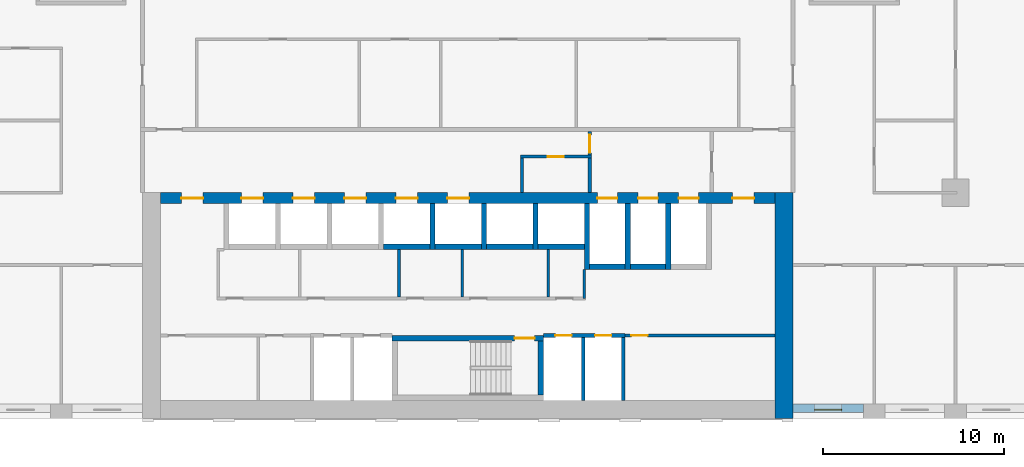
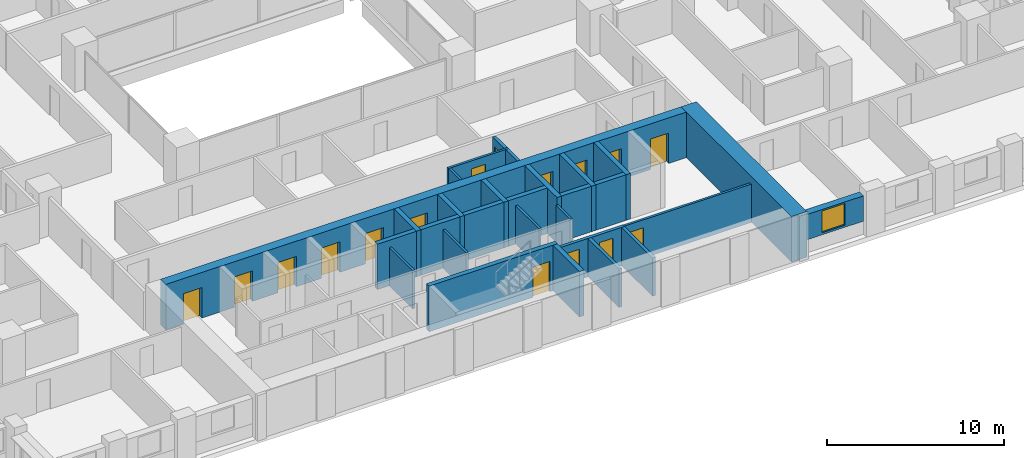
# One storey, part 11 of 20: 29 walls, 16 doors, 1 window, 17 openings.
"""IFC4 building model written with IfcOpenShell, lengths in metres."""

from ifc_helpers import new_model, si_unit, direction, frame, frame_2d, origin, place, context, subcontext, project, spatial, rectangle, extrude, material, layer, layer_set, type_object, element, fill, save


model = new_model("IFC4")

# Units and contexts
model_context = context("Model", 3, precision=1e-05, world=origin(), true_north=direction((0.0, 1.0)))
body_context = subcontext(model_context, "Body", "Model", "MODEL_VIEW")
ifc_project = project(units=[si_unit("LENGTHUNIT", "METRE"), si_unit("AREAUNIT", "SQUARE_METRE"), si_unit("VOLUMEUNIT", "CUBIC_METRE"), si_unit("PLANEANGLEUNIT", "RADIAN"), si_unit("MASSUNIT", "GRAM", prefix="KILO")], contexts=[model_context])

# Site, building, storey
site_placement = place(None, origin())
site = spatial("IfcSite", under=ifc_project, at=site_placement, CompositionType="ELEMENT")
building_placement = place(site_placement, origin())
building = spatial("IfcBuilding", under=site, at=building_placement, Name="Brigalow Station Residences", CompositionType="ELEMENT")
storey_placement = place(building_placement, frame((0.0, 0.0, 69.89990234375)))
storey = spatial("IfcBuildingStorey", under=building, at=storey_placement, Name="L20", CompositionType="ELEMENT", Elevation=69.89990234375)

# Wall, opening, window
ifc_material_1 = material(Name="Clay brick masonry", Category="masonry")
ifc_layer_1 = layer(ifc_material_1, 0.449951171875)
ifc_layer_set_1 = layer_set([ifc_layer_1], Name="BRICK INFILL WALL 450")
wall_type_1 = type_object("IfcWallType", Name="BRICK INFILL WALL 450", PredefinedType="SOLIDWALL", material=ifc_layer_set_1)
wall_1_placement = place(storey_placement, frame((54.0, 0.574951171875, 0.900146484375), z_axis=(0.0, 0.0, 1.0), x_axis=(1.0, 0.0, 0.0)))
wall_1 = element("IfcWall", 1, at=wall_1_placement, inside=storey, type_object=wall_type_1, Name="L20/ewall/W-L20-5", PredefinedType="SOLIDWALL", context=body_context, shape_type="SweptSolid", body=[
    extrude(rectangle(XDim=3.89990234375, YDim=0.449951171875, at=frame_2d((1.949951171875, 0.0))), origin(), (0.0, 0.0, 1.0), 1.75),
])
opening_1_placement = place(wall_1_placement, frame((1.199951171875, 0.0, 0.14990234375)))
opening_1 = element("IfcOpeningElement", 2, at=opening_1_placement, cuts=wall_1, Name="Opening WT-1", PredefinedType="OPENING", context=body_context, shape_type="SweptSolid", body=[
    extrude(rectangle(XDim=1.5, YDim=1.5, at=frame_2d((0.75, 0.75))), frame((0.0, 0.23486328125, 0.0), z_axis=(0.0, -1.0, 0.0), x_axis=(1.0, 0.0, 0.0)), (0.0, 0.0, 1.0), 0.469970703125),
])
ifc_material_2 = material(Name="Anodised aluminium frame with double glazing", Category="aluminium")
window_type = type_object("IfcWindowType", Name="WINDOW 1500x1500", PartitioningType="SINGLE_PANEL", PredefinedType="WINDOW", material=ifc_material_2)
window_placement = place(opening_1_placement, origin())
window = element("IfcWindow", 3, at=window_placement, inside=storey, type_object=window_type, Name="L20/window/W-L20-5", OverallHeight=1.5, OverallWidth=1.5, PartitioningType="SINGLE_PANEL", PredefinedType="WINDOW", context=body_context, shape_type="SweptSolid", body=[
    extrude(rectangle(XDim=1.5, YDim=1.5, at=frame_2d((0.75, 0.75))), frame((0.0, -0.06494140625, 0.0), z_axis=(0.0, -1.0, 0.0), x_axis=(1.0, 0.0, 0.0)), (0.0, 0.0, 1.0), 0.06005859375),
])
fill(opening_1, window)

# Walls
ifc_material_3 = material(Name="Concrete C80", Category="concrete")
ifc_layer_2 = layer(ifc_material_3, 1.0)
ifc_layer_set_2 = layer_set([ifc_layer_2], Name="CORE SHEAR WALL 1000 C80")
wall_type_2 = type_object("IfcWallType", Name="CORE SHEAR WALL 1000 C80", PredefinedType="SHEAR", material=ifc_layer_set_2)
wall_2_placement = place(storey_placement, frame((53.5, 0.0, 0.0), z_axis=(0.0, 0.0, 1.0), x_axis=(0.0, 1.0, 0.0)))
element("IfcWall", 4, at=wall_2_placement, inside=storey, type_object=wall_type_2, Name="CORE WALL OUT-E L20", PredefinedType="SHEAR", context=body_context, shape_type="SweptSolid", body=[
    extrude(rectangle(XDim=12.5, YDim=1.0, at=frame_2d((6.25, 0.0))), origin(), (0.0, 0.0, 1.0), 3.150146484375),
])
ifc_material_4 = material(Name="Concrete C80", Category="concrete")
ifc_layer_3 = layer(ifc_material_4, 0.300048828125)
ifc_layer_set_3 = layer_set([ifc_layer_3], Name="CORE SHEAR WALL 300 C80")
wall_type_3 = type_object("IfcWallType", Name="CORE SHEAR WALL 300 C80", PredefinedType="SHEAR", material=ifc_layer_set_3)
wall_3_placement = place(storey_placement, frame((31.35009765625, 9.5, 0.0), z_axis=(0.0, 0.0, 1.0), x_axis=(1.0, 0.0, 0.0)))
element("IfcWall", 5, at=wall_3_placement, inside=storey, type_object=wall_type_3, Name="CORE WALL SH-P4-S L20", PredefinedType="SHEAR", context=body_context, shape_type="SweptSolid", body=[
    extrude(rectangle(XDim=2.5498046875, YDim=0.300048828125, at=frame_2d((1.27490234375, 0.0))), origin(), (0.0, 0.0, 1.0), 3.150146484375),
])
wall_4_placement = place(storey_placement, frame((34.199951171875, 9.5, 0.0), z_axis=(0.0, 0.0, 1.0), x_axis=(1.0, 0.0, 0.0)))
element("IfcWall", 6, at=wall_4_placement, inside=storey, type_object=wall_type_3, Name="CORE WALL SH-P5-S L20", PredefinedType="SHEAR", context=body_context, shape_type="SweptSolid", body=[
    extrude(rectangle(XDim=2.550048828125, YDim=0.300048828125, at=frame_2d((1.27490234375, 0.0))), origin(), (0.0, 0.0, 1.0), 3.150146484375),
])
wall_5_placement = place(storey_placement, frame((34.050048828125, 9.35009765625, 0.0), z_axis=(0.0, 0.0, 1.0), x_axis=(0.0, 1.0, 0.0)))
element("IfcWall", 7, at=wall_5_placement, inside=storey, type_object=wall_type_3, Name="CORE WALL SH-P5-W L20", PredefinedType="SHEAR", context=body_context, shape_type="SweptSolid", body=[
    extrude(rectangle(XDim=2.5498046875, YDim=0.300048828125, at=frame_2d((1.27490234375, 0.0))), origin(), (0.0, 0.0, 1.0), 3.150146484375),
])
wall_6_placement = place(storey_placement, frame((37.050048828125, 9.5, 0.0), z_axis=(0.0, 0.0, 1.0), x_axis=(1.0, 0.0, 0.0)))
element("IfcWall", 8, at=wall_6_placement, inside=storey, type_object=wall_type_3, Name="CORE WALL SH-X1-S L20", PredefinedType="SHEAR", context=body_context, shape_type="SweptSolid", body=[
    extrude(rectangle(XDim=2.550048828125, YDim=0.300048828125, at=frame_2d((1.27490234375, 0.0))), origin(), (0.0, 0.0, 1.0), 3.150146484375),
])
wall_7_placement = place(storey_placement, frame((36.89990234375, 9.35009765625, 0.0), z_axis=(0.0, 0.0, 1.0), x_axis=(0.0, 1.0, 0.0)))
element("IfcWall", 9, at=wall_7_placement, inside=storey, type_object=wall_type_3, Name="CORE WALL SH-X1-W L20", PredefinedType="SHEAR", context=body_context, shape_type="SweptSolid", body=[
    extrude(rectangle(XDim=2.5498046875, YDim=0.300048828125, at=frame_2d((1.27490234375, 0.0))), origin(), (0.0, 0.0, 1.0), 3.150146484375),
])
wall_8_placement = place(storey_placement, frame((39.89990234375, 9.5, 0.0), z_axis=(0.0, 0.0, 1.0), x_axis=(1.0, 0.0, 0.0)))
element("IfcWall", 10, at=wall_8_placement, inside=storey, type_object=wall_type_3, Name="CORE WALL SH-X2-S L20", PredefinedType="SHEAR", context=body_context, shape_type="SweptSolid", body=[
    extrude(rectangle(XDim=2.550048828125, YDim=0.300048828125, at=frame_2d((1.27490234375, 0.0))), origin(), (0.0, 0.0, 1.0), 3.150146484375),
])
wall_9_placement = place(storey_placement, frame((39.75, 9.35009765625, 0.0), z_axis=(0.0, 0.0, 1.0), x_axis=(0.0, 1.0, 0.0)))
element("IfcWall", 11, at=wall_9_placement, inside=storey, type_object=wall_type_3, Name="CORE WALL SH-X2-W L20", PredefinedType="SHEAR", context=body_context, shape_type="SweptSolid", body=[
    extrude(rectangle(XDim=2.5498046875, YDim=0.300048828125, at=frame_2d((1.27490234375, 0.0))), origin(), (0.0, 0.0, 1.0), 3.150146484375),
])
wall_10_placement = place(storey_placement, frame((42.75, 8.39990234375, 0.0), z_axis=(0.0, 0.0, 1.0), x_axis=(1.0, 0.0, 0.0)))
element("IfcWall", 12, at=wall_10_placement, inside=storey, type_object=wall_type_3, Name="CORE WALL SH-FF1-S L20", PredefinedType="SHEAR", context=body_context, shape_type="SweptSolid", body=[
    extrude(rectangle(XDim=1.949951171875, YDim=0.300048828125, at=frame_2d((0.97509765625, 0.0))), origin(), (0.0, 0.0, 1.0), 3.150146484375),
])
wall_11_placement = place(storey_placement, frame((42.60009765625, 8.25, 0.0), z_axis=(0.0, 0.0, 1.0), x_axis=(0.0, 1.0, 0.0)))
element("IfcWall", 13, at=wall_11_placement, inside=storey, type_object=wall_type_3, Name="CORE WALL SH-FF1-W L20", PredefinedType="SHEAR", context=body_context, shape_type="SweptSolid", body=[
    extrude(rectangle(XDim=3.64990234375, YDim=0.300048828125, at=frame_2d((1.824951171875, 0.0))), origin(), (0.0, 0.0, 1.0), 3.150146484375),
])
wall_12_placement = place(storey_placement, frame((45.0, 8.39990234375, 0.0), z_axis=(0.0, 0.0, 1.0), x_axis=(1.0, 0.0, 0.0)))
element("IfcWall", 14, at=wall_12_placement, inside=storey, type_object=wall_type_3, Name="CORE WALL SH-FF2-S L20", PredefinedType="SHEAR", context=body_context, shape_type="SweptSolid", body=[
    extrude(rectangle(XDim=1.949951171875, YDim=0.300048828125, at=frame_2d((0.97509765625, 0.0))), origin(), (0.0, 0.0, 1.0), 3.150146484375),
])
for number, where, z_axis, x_axis, name in (
    (15, (44.85009765625, 8.25, 0.0), (0.0, 0.0, 1.0), (0.0, 1.0, 0.0), "CORE WALL SH-FF2-W L20"),
    (16, (47.10009765625, 8.25, 0.0), (0.0, 0.0, 1.0), (0.0, 1.0, 0.0), "CORE WALL SH-SL1-W L20"),
):
    element("IfcWall", number, at=place(storey_placement, frame(where, z_axis=z_axis, x_axis=x_axis)), inside=storey, type_object=wall_type_3, Name=name, PredefinedType="SHEAR", context=body_context, shape_type="SweptSolid", body=[
        extrude(rectangle(XDim=3.64990234375, YDim=0.300048828125, at=frame_2d((1.824951171875, 0.0))), origin(), (0.0, 0.0, 1.0), 3.150146484375),
    ])

# Wall, opening, door
wall_13_placement = place(storey_placement, frame((31.800048828125, 4.449951171875, 0.0), z_axis=(0.0, 0.0, 1.0), x_axis=(1.0, 0.0, 0.0)))
wall_13 = element("IfcWall", 17, at=wall_13_placement, inside=storey, type_object=wall_type_3, Name="CORE WALL ST-S2-N L20", PredefinedType="SHEAR", context=body_context, shape_type="SweptSolid", body=[
    extrude(rectangle(XDim=8.39990234375, YDim=0.300048828125, at=frame_2d((4.199951171875, 0.0))), origin(), (0.0, 0.0, 1.0), 3.150146484375),
])
opening_2_placement = place(wall_13_placement, frame((6.800048828125, 0.0, 0.0)))
opening_2 = element("IfcOpeningElement", 18, at=opening_2_placement, cuts=wall_13, Name="Opening D-5001", PredefinedType="OPENING", context=body_context, shape_type="SweptSolid", body=[
    extrude(rectangle(XDim=1.10009765625, YDim=2.10009765625, at=frame_2d((0.550048828125, 1.050048828125))), frame((0.0, 0.16015625, 0.0), z_axis=(0.0, -1.0, 0.0), x_axis=(1.0, 0.0, 0.0)), (0.0, 0.0, 1.0), 0.320068359375),
])
ifc_material_5 = material(Name="Steel fire door leaf in steel frame", Category="steel")
door_type_1 = type_object("IfcDoorType", Name="STAIR DOOR 1100 x 2100 FD60S", OperationType="SINGLE_SWING_LEFT", PredefinedType="DOOR", material=ifc_material_5)
door_1_placement = place(opening_2_placement, frame((1.10009765625, 0.0, 0.0), z_axis=(0.0, 0.0, 1.0), x_axis=(-1.0, 0.0, 0.0)))
door_1 = element("IfcDoor", 19, at=door_1_placement, inside=storey, type_object=door_type_1, Name="D-5001", OperationType="SINGLE_SWING_LEFT", OverallHeight=2.10009765625, OverallWidth=1.10009765625, PredefinedType="DOOR", context=body_context, shape_type="SweptSolid", body=[
    extrude(rectangle(XDim=1.10009765625, YDim=2.10009765625, at=frame_2d((0.550048828125, 1.050048828125))), frame((0.0, 0.02490234375, 0.0), z_axis=(0.0, -1.0, 0.0), x_axis=(1.0, 0.0, 0.0)), (0.0, 0.0, 1.0), 0.050048828125),
])
fill(opening_2, door_1)

# Wall
wall_14_placement = place(storey_placement, frame((40.050048828125, 1.300048828125, 0.0), z_axis=(0.0, 0.0, 1.0), x_axis=(0.0, 1.0, 0.0)))
element("IfcWall", 20, at=wall_14_placement, inside=storey, type_object=wall_type_3, Name="CORE WALL ST-S2-E L20", PredefinedType="SHEAR", context=body_context, shape_type="SweptSolid", body=[
    extrude(rectangle(XDim=3.0, YDim=0.300048828125, at=frame_2d((1.5, 0.0))), origin(), (0.0, 0.0, 1.0), 3.150146484375),
])

# Wall, openings, doors
ifc_material_6 = material(Name="Concrete C80", Category="concrete")
ifc_layer_4 = layer(ifc_material_6, 0.60009765625)
ifc_layer_set_4 = layer_set([ifc_layer_4], Name="CORE SHEAR WALL 600 C80")
wall_type_4 = type_object("IfcWallType", Name="CORE SHEAR WALL 600 C80", PredefinedType="SHEAR", material=ifc_layer_set_4)
wall_15_placement = place(storey_placement, frame((19.0, 12.199951171875, 0.0), z_axis=(0.0, 0.0, 1.0), x_axis=(1.0, 0.0, 0.0)))
wall_15 = element("IfcWall", 21, at=wall_15_placement, inside=storey, type_object=wall_type_4, Name="CORE WALL OUT-N L20", PredefinedType="SHEAR", context=body_context, shape_type="SweptSolid", body=[
    extrude(rectangle(XDim=34.0, YDim=0.60009765625, at=frame_2d((17.0, 0.0))), origin(), (0.0, 0.0, 1.0), 3.150146484375),
])
opening_3_placement = place(wall_15_placement, frame((4.47509765625, 0.0, 0.0)))
opening_3 = element("IfcOpeningElement", 22, at=opening_3_placement, cuts=wall_15, Name="Opening LD-LA1", PredefinedType="OPENING", context=body_context, shape_type="SweptSolid", body=[
    extrude(rectangle(XDim=1.199951171875, YDim=2.10009765625, at=frame_2d((0.60009765625, 1.050048828125))), frame((0.0, 0.31005859375, 0.0), z_axis=(0.0, -1.0, 0.0), x_axis=(1.0, 0.0, 0.0)), (0.0, 0.0, 1.0), 0.6201171875),
])
opening_4_placement = place(wall_15_placement, frame((7.324951171875, 0.0, 0.0)))
opening_4 = element("IfcOpeningElement", 23, at=opening_4_placement, cuts=wall_15, Name="Opening LD-LA2", PredefinedType="OPENING", context=body_context, shape_type="SweptSolid", body=[
    extrude(rectangle(XDim=1.199951171875, YDim=2.10009765625, at=frame_2d((0.60009765625, 1.050048828125))), frame((0.0, 0.31005859375, 0.0), z_axis=(0.0, -1.0, 0.0), x_axis=(1.0, 0.0, 0.0)), (0.0, 0.0, 1.0), 0.6201171875),
])
opening_5_placement = place(wall_15_placement, frame((10.175048828125, 0.0, 0.0)))
opening_5 = element("IfcOpeningElement", 24, at=opening_5_placement, cuts=wall_15, Name="Opening LD-LA3", PredefinedType="OPENING", context=body_context, shape_type="SweptSolid", body=[
    extrude(rectangle(XDim=1.199951171875, YDim=2.10009765625, at=frame_2d((0.60009765625, 1.050048828125))), frame((0.0, 0.31005859375, 0.0), z_axis=(0.0, -1.0, 0.0), x_axis=(1.0, 0.0, 0.0)), (0.0, 0.0, 1.0), 0.6201171875),
])
opening_6_placement = place(wall_15_placement, frame((13.02490234375, 0.0, 0.0)))
opening_6 = element("IfcOpeningElement", 25, at=opening_6_placement, cuts=wall_15, Name="Opening LD-LA4", PredefinedType="OPENING", context=body_context, shape_type="SweptSolid", body=[
    extrude(rectangle(XDim=1.199951171875, YDim=2.10009765625, at=frame_2d((0.60009765625, 1.050048828125))), frame((0.0, 0.31005859375, 0.0), z_axis=(0.0, -1.0, 0.0), x_axis=(1.0, 0.0, 0.0)), (0.0, 0.0, 1.0), 0.6201171875),
])
opening_7_placement = place(wall_15_placement, frame((15.875, 0.0, 0.0)))
opening_7 = element("IfcOpeningElement", 26, at=opening_7_placement, cuts=wall_15, Name="Opening LD-LA5", PredefinedType="OPENING", context=body_context, shape_type="SweptSolid", body=[
    extrude(rectangle(XDim=1.199951171875, YDim=2.10009765625, at=frame_2d((0.60009765625, 1.050048828125))), frame((0.0, 0.31005859375, 0.0), z_axis=(0.0, -1.0, 0.0), x_axis=(1.0, 0.0, 0.0)), (0.0, 0.0, 1.0), 0.6201171875),
])
opening_8_placement = place(wall_15_placement, frame((24.175048828125, 0.0, 0.0)))
opening_8 = element("IfcOpeningElement", 27, at=opening_8_placement, cuts=wall_15, Name="Opening LD-LF1", PredefinedType="OPENING", context=body_context, shape_type="SweptSolid", body=[
    extrude(rectangle(XDim=1.10009765625, YDim=2.10009765625, at=frame_2d((0.550048828125, 1.050048828125))), frame((0.0, 0.31005859375, 0.0), z_axis=(0.0, -1.0, 0.0), x_axis=(1.0, 0.0, 0.0)), (0.0, 0.0, 1.0), 0.6201171875),
])
opening_9_placement = place(wall_15_placement, frame((26.425048828125, 0.0, 0.0)))
opening_9 = element("IfcOpeningElement", 28, at=opening_9_placement, cuts=wall_15, Name="Opening LD-LF2", PredefinedType="OPENING", context=body_context, shape_type="SweptSolid", body=[
    extrude(rectangle(XDim=1.10009765625, YDim=2.10009765625, at=frame_2d((0.550048828125, 1.050048828125))), frame((0.0, 0.31005859375, 0.0), z_axis=(0.0, -1.0, 0.0), x_axis=(1.0, 0.0, 0.0)), (0.0, 0.0, 1.0), 0.6201171875),
])
opening_10_placement = place(wall_15_placement, frame((28.675048828125, 0.0, 0.0)))
opening_10 = element("IfcOpeningElement", 29, at=opening_10_placement, cuts=wall_15, Name="Opening LD-LG1", PredefinedType="OPENING", context=body_context, shape_type="SweptSolid", body=[
    extrude(rectangle(XDim=1.10009765625, YDim=2.10009765625, at=frame_2d((0.550048828125, 1.050048828125))), frame((0.0, 0.31005859375, 0.0), z_axis=(0.0, -1.0, 0.0), x_axis=(1.0, 0.0, 0.0)), (0.0, 0.0, 1.0), 0.6201171875),
])
opening_11_placement = place(wall_15_placement, frame((1.14990234375, 0.0, 0.0)))
opening_11 = element("IfcOpeningElement", 30, at=opening_11_placement, cuts=wall_15, Name="Opening D-5011", PredefinedType="OPENING", context=body_context, shape_type="SweptSolid", body=[
    extrude(rectangle(XDim=1.199951171875, YDim=2.10009765625, at=frame_2d((0.60009765625, 1.050048828125))), frame((0.0, 0.31005859375, 0.0), z_axis=(0.0, -1.0, 0.0), x_axis=(1.0, 0.0, 0.0)), (0.0, 0.0, 1.0), 0.6201171875),
])
opening_12_placement = place(wall_15_placement, frame((31.64990234375, 0.0, 0.0)))
opening_12 = element("IfcOpeningElement", 31, at=opening_12_placement, cuts=wall_15, Name="Opening D-5012", PredefinedType="OPENING", context=body_context, shape_type="SweptSolid", body=[
    extrude(rectangle(XDim=1.199951171875, YDim=2.10009765625, at=frame_2d((0.60009765625, 1.050048828125))), frame((0.0, 0.31005859375, 0.0), z_axis=(0.0, -1.0, 0.0), x_axis=(1.0, 0.0, 0.0)), (0.0, 0.0, 1.0), 0.6201171875),
])
ifc_material_7 = material(Name="Steel fire door leaf in steel frame", Category="steel")
door_type_2 = type_object("IfcDoorType", Name="CORE CORRIDOR DOOR 1200 x 2100 FD60S", OperationType="SINGLE_SWING_LEFT", PredefinedType="DOOR", material=ifc_material_7)
door_2_placement = place(opening_11_placement, frame((1.199951171875, 0.0, 0.0), z_axis=(0.0, 0.0, 1.0), x_axis=(-1.0, 0.0, 0.0)))
door_2 = element("IfcDoor", 32, at=door_2_placement, inside=storey, type_object=door_type_2, Name="D-5011", OperationType="SINGLE_SWING_LEFT", OverallHeight=2.10009765625, OverallWidth=1.199951171875, PredefinedType="DOOR", context=body_context, shape_type="SweptSolid", body=[
    extrude(rectangle(XDim=1.199951171875, YDim=2.10009765625, at=frame_2d((0.60009765625, 1.050048828125))), frame((0.0, 0.02490234375, 0.0), z_axis=(0.0, -1.0, 0.0), x_axis=(1.0, 0.0, 0.0)), (0.0, 0.0, 1.0), 0.050048828125),
])
fill(opening_11, door_2)
door_3_placement = place(opening_12_placement, frame((1.199951171875, 0.0, 0.0), z_axis=(0.0, 0.0, 1.0), x_axis=(-1.0, 0.0, 0.0)))
door_3 = element("IfcDoor", 33, at=door_3_placement, inside=storey, type_object=door_type_2, Name="D-5012", OperationType="SINGLE_SWING_RIGHT", OverallHeight=2.10009765625, OverallWidth=1.199951171875, PredefinedType="DOOR", context=body_context, shape_type="SweptSolid", body=[
    extrude(rectangle(XDim=1.199951171875, YDim=2.10009765625, at=frame_2d((0.60009765625, 1.050048828125))), frame((0.0, 0.02490234375, 0.0), z_axis=(0.0, -1.0, 0.0), x_axis=(1.0, 0.0, 0.0)), (0.0, 0.0, 1.0), 0.050048828125),
])
fill(opening_12, door_3)
ifc_material_8 = material(Name="Stainless steel sliding door leaves", Category="steel")
door_type_3 = type_object("IfcDoorType", Name="LIFT LANDING DOOR 1100 x 2100", OperationType="DOUBLE_DOOR_SLIDING", PredefinedType="DOOR", material=ifc_material_8)
door_4_placement = place(opening_8_placement, origin())
door_4 = element("IfcDoor", 34, at=door_4_placement, inside=storey, type_object=door_type_3, Name="LANDING DOOR LF1", OperationType="DOUBLE_DOOR_SLIDING", OverallHeight=2.10009765625, OverallWidth=1.10009765625, PredefinedType="DOOR", context=body_context, shape_type="SweptSolid", body=[
    extrude(rectangle(XDim=1.10009765625, YDim=2.10009765625, at=frame_2d((0.550048828125, 1.050048828125))), frame((0.0, 0.02490234375, 0.0), z_axis=(0.0, -1.0, 0.0), x_axis=(1.0, 0.0, 0.0)), (0.0, 0.0, 1.0), 0.050048828125),
])
fill(opening_8, door_4)
door_5_placement = place(opening_9_placement, origin())
door_5 = element("IfcDoor", 35, at=door_5_placement, inside=storey, type_object=door_type_3, Name="LANDING DOOR LF2", OperationType="DOUBLE_DOOR_SLIDING", OverallHeight=2.10009765625, OverallWidth=1.10009765625, PredefinedType="DOOR", context=body_context, shape_type="SweptSolid", body=[
    extrude(rectangle(XDim=1.10009765625, YDim=2.10009765625, at=frame_2d((0.550048828125, 1.050048828125))), frame((0.0, 0.02490234375, 0.0), z_axis=(0.0, -1.0, 0.0), x_axis=(1.0, 0.0, 0.0)), (0.0, 0.0, 1.0), 0.050048828125),
])
fill(opening_9, door_5)
door_6_placement = place(opening_10_placement, origin())
door_6 = element("IfcDoor", 36, at=door_6_placement, inside=storey, type_object=door_type_3, Name="LANDING DOOR LG1", OperationType="DOUBLE_DOOR_SLIDING", OverallHeight=2.10009765625, OverallWidth=1.10009765625, PredefinedType="DOOR", context=body_context, shape_type="SweptSolid", body=[
    extrude(rectangle(XDim=1.10009765625, YDim=2.10009765625, at=frame_2d((0.550048828125, 1.050048828125))), frame((0.0, 0.02490234375, 0.0), z_axis=(0.0, -1.0, 0.0), x_axis=(1.0, 0.0, 0.0)), (0.0, 0.0, 1.0), 0.050048828125),
])
fill(opening_10, door_6)
ifc_material_9 = material(Name="Stainless steel sliding door leaves", Category="steel")
door_type_4 = type_object("IfcDoorType", Name="LIFT LANDING DOOR 1200 x 2100", OperationType="DOUBLE_DOOR_SLIDING", PredefinedType="DOOR", material=ifc_material_9)
door_7_placement = place(opening_3_placement, origin())
door_7 = element("IfcDoor", 37, at=door_7_placement, inside=storey, type_object=door_type_4, Name="LANDING DOOR LA1", OperationType="DOUBLE_DOOR_SLIDING", OverallHeight=2.10009765625, OverallWidth=1.199951171875, PredefinedType="DOOR", context=body_context, shape_type="SweptSolid", body=[
    extrude(rectangle(XDim=1.199951171875, YDim=2.10009765625, at=frame_2d((0.60009765625, 1.050048828125))), frame((0.0, 0.02490234375, 0.0), z_axis=(0.0, -1.0, 0.0), x_axis=(1.0, 0.0, 0.0)), (0.0, 0.0, 1.0), 0.050048828125),
])
fill(opening_3, door_7)
door_8_placement = place(opening_4_placement, origin())
door_8 = element("IfcDoor", 38, at=door_8_placement, inside=storey, type_object=door_type_4, Name="LANDING DOOR LA2", OperationType="DOUBLE_DOOR_SLIDING", OverallHeight=2.10009765625, OverallWidth=1.199951171875, PredefinedType="DOOR", context=body_context, shape_type="SweptSolid", body=[
    extrude(rectangle(XDim=1.199951171875, YDim=2.10009765625, at=frame_2d((0.60009765625, 1.050048828125))), frame((0.0, 0.02490234375, 0.0), z_axis=(0.0, -1.0, 0.0), x_axis=(1.0, 0.0, 0.0)), (0.0, 0.0, 1.0), 0.050048828125),
])
fill(opening_4, door_8)
door_9_placement = place(opening_5_placement, origin())
door_9 = element("IfcDoor", 39, at=door_9_placement, inside=storey, type_object=door_type_4, Name="LANDING DOOR LA3", OperationType="DOUBLE_DOOR_SLIDING", OverallHeight=2.10009765625, OverallWidth=1.199951171875, PredefinedType="DOOR", context=body_context, shape_type="SweptSolid", body=[
    extrude(rectangle(XDim=1.199951171875, YDim=2.10009765625, at=frame_2d((0.60009765625, 1.050048828125))), frame((0.0, 0.02490234375, 0.0), z_axis=(0.0, -1.0, 0.0), x_axis=(1.0, 0.0, 0.0)), (0.0, 0.0, 1.0), 0.050048828125),
])
fill(opening_5, door_9)
door_10_placement = place(opening_6_placement, origin())
door_10 = element("IfcDoor", 40, at=door_10_placement, inside=storey, type_object=door_type_4, Name="LANDING DOOR LA4", OperationType="DOUBLE_DOOR_SLIDING", OverallHeight=2.10009765625, OverallWidth=1.199951171875, PredefinedType="DOOR", context=body_context, shape_type="SweptSolid", body=[
    extrude(rectangle(XDim=1.199951171875, YDim=2.10009765625, at=frame_2d((0.60009765625, 1.050048828125))), frame((0.0, 0.02490234375, 0.0), z_axis=(0.0, -1.0, 0.0), x_axis=(1.0, 0.0, 0.0)), (0.0, 0.0, 1.0), 0.050048828125),
])
fill(opening_6, door_10)
door_11_placement = place(opening_7_placement, origin())
door_11 = element("IfcDoor", 41, at=door_11_placement, inside=storey, type_object=door_type_4, Name="LANDING DOOR LA5", OperationType="DOUBLE_DOOR_SLIDING", OverallHeight=2.10009765625, OverallWidth=1.199951171875, PredefinedType="DOOR", context=body_context, shape_type="SweptSolid", body=[
    extrude(rectangle(XDim=1.199951171875, YDim=2.10009765625, at=frame_2d((0.60009765625, 1.050048828125))), frame((0.0, 0.02490234375, 0.0), z_axis=(0.0, -1.0, 0.0), x_axis=(1.0, 0.0, 0.0)), (0.0, 0.0, 1.0), 0.050048828125),
])
fill(opening_7, door_11)

ifc_material_10 = material(Name="Concrete blockwork", Category="masonry")
ifc_layer_5 = layer(ifc_material_10, 0.199951171875)
ifc_layer_set_5 = layer_set([ifc_layer_5], Name="FIRE RATED CORE PARTITION 200")
wall_type_5 = type_object("IfcWallType", Name="FIRE RATED CORE PARTITION 200", PredefinedType="PARTITIONING", material=ifc_layer_set_5)
wall_16_placement = place(storey_placement, frame((40.199951171875, 4.60009765625, 0.0), z_axis=(0.0, 0.0, 1.0), x_axis=(1.0, 0.0, 0.0)))
wall_16 = element("IfcWall", 42, at=wall_16_placement, inside=storey, type_object=wall_type_5, Name="PW-5018", PredefinedType="PARTITIONING", context=body_context, shape_type="SweptSolid", body=[
    extrude(rectangle(XDim=4.5, YDim=0.199951171875, at=frame_2d((2.25, 0.0))), origin(), (0.0, 0.0, 1.0), 2.650146484375),
])
opening_13_placement = place(wall_16_placement, frame((0.64990234375, 0.0, 0.0)))
opening_13 = element("IfcOpeningElement", 43, at=opening_13_placement, cuts=wall_16, Name="Opening D-5009", PredefinedType="OPENING", context=body_context, shape_type="SweptSolid", body=[
    extrude(rectangle(XDim=0.89990234375, YDim=2.10009765625, at=frame_2d((0.449951171875, 1.050048828125))), frame((0.0, 0.10986328125, 0.0), z_axis=(0.0, -1.0, 0.0), x_axis=(1.0, 0.0, 0.0)), (0.0, 0.0, 1.0), 0.219970703125),
])
opening_14_placement = place(wall_16_placement, frame((2.85009765625, 0.0, 0.0)))
opening_14 = element("IfcOpeningElement", 44, at=opening_14_placement, cuts=wall_16, Name="Opening D-5010", PredefinedType="OPENING", context=body_context, shape_type="SweptSolid", body=[
    extrude(rectangle(XDim=0.89990234375, YDim=2.10009765625, at=frame_2d((0.449951171875, 1.050048828125))), frame((0.0, 0.10986328125, 0.0), z_axis=(0.0, -1.0, 0.0), x_axis=(1.0, 0.0, 0.0)), (0.0, 0.0, 1.0), 0.219970703125),
])
ifc_material_11 = material(Name="Steel fire door leaf in steel frame", Category="steel")
door_type_5 = type_object("IfcDoorType", Name="RISER ACCESS DOOR 900 x 2100 FD120", OperationType="SINGLE_SWING_LEFT", PredefinedType="DOOR", material=ifc_material_11)
door_12_placement = place(opening_13_placement, frame((0.89990234375, 0.0, 0.0), z_axis=(0.0, 0.0, 1.0), x_axis=(-1.0, 0.0, 0.0)))
door_12 = element("IfcDoor", 45, at=door_12_placement, inside=storey, type_object=door_type_5, Name="D-5009", OperationType="SINGLE_SWING_LEFT", OverallHeight=2.10009765625, OverallWidth=0.89990234375, PredefinedType="DOOR", context=body_context, shape_type="SweptSolid", body=[
    extrude(rectangle(XDim=0.89990234375, YDim=2.10009765625, at=frame_2d((0.449951171875, 1.050048828125))), frame((0.0, 0.02490234375, 0.0), z_axis=(0.0, -1.0, 0.0), x_axis=(1.0, 0.0, 0.0)), (0.0, 0.0, 1.0), 0.050048828125),
])
fill(opening_13, door_12)
door_13_placement = place(opening_14_placement, frame((0.89990234375, 0.0, 0.0), z_axis=(0.0, 0.0, 1.0), x_axis=(-1.0, 0.0, 0.0)))
door_13 = element("IfcDoor", 46, at=door_13_placement, inside=storey, type_object=door_type_5, Name="D-5010", OperationType="SINGLE_SWING_LEFT", OverallHeight=2.10009765625, OverallWidth=0.89990234375, PredefinedType="DOOR", context=body_context, shape_type="SweptSolid", body=[
    extrude(rectangle(XDim=0.89990234375, YDim=2.10009765625, at=frame_2d((0.449951171875, 1.050048828125))), frame((0.0, 0.02490234375, 0.0), z_axis=(0.0, -1.0, 0.0), x_axis=(1.0, 0.0, 0.0)), (0.0, 0.0, 1.0), 0.050048828125),
])
fill(opening_14, door_13)

# Walls
for number, where, z_axis, x_axis, name in (
    (47, (42.39990234375, 1.0, 0.0), (0.0, 0.0, 1.0), (0.0, 1.0, 0.0), "PW-5007"),
    (48, (44.60009765625, 1.0, 0.0), (0.0, 0.0, 1.0), (0.0, 1.0, 0.0), "PW-5008"),
):
    element("IfcWall", number, at=place(storey_placement, frame(where, z_axis=z_axis, x_axis=x_axis)), inside=storey, type_object=wall_type_5, Name=name, PredefinedType="PARTITIONING", context=body_context, shape_type="SweptSolid", body=[
        extrude(rectangle(XDim=3.5, YDim=0.199951171875, at=frame_2d((1.75, 0.0))), origin(), (0.0, 0.0, 1.0), 2.650146484375),
    ])
wall_17_placement = place(storey_placement, frame((42.75, 12.5, 0.0), z_axis=(0.0, 0.0, 1.0), x_axis=(0.0, 1.0, 0.0)))
element("IfcWall", 49, at=wall_17_placement, inside=storey, type_object=wall_type_5, Name="PW-5046", PredefinedType="PARTITIONING", context=body_context, shape_type="SweptSolid", body=[
    extrude(rectangle(XDim=1.925048828125, YDim=0.199951171875, at=frame_2d((0.96240234375, 0.0))), origin(), (0.0, 0.0, 1.0), 2.650146484375),
])

# Wall, opening, door
wall_18_placement = place(storey_placement, frame((42.75, 14.574951171875, 0.0), z_axis=(0.0, 0.0, 1.0), x_axis=(0.0, 1.0, 0.0)))
wall_18 = element("IfcWall", 50, at=wall_18_placement, inside=storey, type_object=wall_type_5, Name="PW-5047", PredefinedType="PARTITIONING", context=body_context, shape_type="SweptSolid", body=[
    extrude(rectangle(XDim=1.324951171875, YDim=0.199951171875, at=frame_2d((0.66259765625, 0.0))), origin(), (0.0, 0.0, 1.0), 2.650146484375),
])
opening_15_placement = place(wall_18_placement, frame((0.125, 0.0, 0.0)))
opening_15 = element("IfcOpeningElement", 51, at=opening_15_placement, cuts=wall_18, Name="Opening D-5013", PredefinedType="OPENING", context=body_context, shape_type="SweptSolid", body=[
    extrude(rectangle(XDim=1.0, YDim=2.10009765625, at=frame_2d((0.5, 1.050048828125))), frame((0.0, 0.10986328125, 0.0), z_axis=(0.0, -1.0, 0.0), x_axis=(1.0, 0.0, 0.0)), (0.0, 0.0, 1.0), 0.219970703125),
])
ifc_material_12 = material(Name="Steel fire door leaf in steel frame", Category="steel")
door_type_6 = type_object("IfcDoorType", Name="LOBBY DOOR 1000 x 2100 FD60S", OperationType="SINGLE_SWING_LEFT", PredefinedType="DOOR", material=ifc_material_12)
door_14_placement = place(opening_15_placement, origin())
door_14 = element("IfcDoor", 52, at=door_14_placement, inside=storey, type_object=door_type_6, Name="D-5013", OperationType="SINGLE_SWING_LEFT", OverallHeight=2.10009765625, OverallWidth=1.0, PredefinedType="DOOR", context=body_context, shape_type="SweptSolid", body=[
    extrude(rectangle(XDim=1.0, YDim=2.10009765625, at=frame_2d((0.5, 1.050048828125))), frame((0.0, 0.02490234375, 0.0), z_axis=(0.0, -1.0, 0.0), x_axis=(1.0, 0.0, 0.0)), (0.0, 0.0, 1.0), 0.050048828125),
])
fill(opening_15, door_14)

ifc_material_13 = material(Name="Plasterboard on steel studs", Category="steel")
ifc_layer_6 = layer(ifc_material_13, 0.14990234375)
ifc_layer_set_6 = layer_set([ifc_layer_6], Name="SERVICE ROOM PARTITION 150")
wall_type_6 = type_object("IfcWallType", Name="SERVICE ROOM PARTITION 150", PredefinedType="PARTITIONING", material=ifc_layer_set_6)
wall_19_placement = place(storey_placement, frame((44.699951171875, 4.60009765625, 0.0), z_axis=(0.0, 0.0, 1.0), x_axis=(1.0, 0.0, 0.0)))
wall_19 = element("IfcWall", 53, at=wall_19_placement, inside=storey, type_object=wall_type_6, Name="PW-5020", PredefinedType="PARTITIONING", context=body_context, shape_type="SweptSolid", body=[
    extrude(rectangle(XDim=8.300048828125, YDim=0.14990234375, at=frame_2d((4.14990234375, 0.0))), origin(), (0.0, 0.0, 1.0), 2.650146484375),
])
opening_16_placement = place(wall_19_placement, frame((0.35009765625, 0.0, 0.0)))
opening_16 = element("IfcOpeningElement", 54, at=opening_16_placement, cuts=wall_19, Name="Opening D-5026", PredefinedType="OPENING", context=body_context, shape_type="SweptSolid", body=[
    extrude(rectangle(XDim=0.89990234375, YDim=2.10009765625, at=frame_2d((0.449951171875, 1.050048828125))), frame((0.0, 0.0849609375, 0.0), z_axis=(0.0, -1.0, 0.0), x_axis=(1.0, 0.0, 0.0)), (0.0, 0.0, 1.0), 0.169921875),
])
ifc_material_14 = material(Name="Steel door leaf in steel frame", Category="steel")
door_type_7 = type_object("IfcDoorType", Name="SERVICE ROOM DOOR 900 x 2100 FD60", OperationType="SINGLE_SWING_LEFT", PredefinedType="DOOR", material=ifc_material_14)
door_15_placement = place(opening_16_placement, frame((0.89990234375, 0.0, 0.0), z_axis=(0.0, 0.0, 1.0), x_axis=(-1.0, 0.0, 0.0)))
door_15 = element("IfcDoor", 55, at=door_15_placement, inside=storey, type_object=door_type_7, Name="D-5026", OperationType="SINGLE_SWING_RIGHT", OverallHeight=2.10009765625, OverallWidth=0.89990234375, PredefinedType="DOOR", context=body_context, shape_type="SweptSolid", body=[
    extrude(rectangle(XDim=0.89990234375, YDim=2.10009765625, at=frame_2d((0.449951171875, 1.050048828125))), frame((0.0, 0.02490234375, 0.0), z_axis=(0.0, -1.0, 0.0), x_axis=(1.0, 0.0, 0.0)), (0.0, 0.0, 1.0), 0.050048828125),
])
fill(opening_16, door_15)

wall_20_placement = place(storey_placement, frame((38.925048828125, 14.5, 0.0), z_axis=(0.0, 0.0, 1.0), x_axis=(1.0, 0.0, 0.0)))
wall_20 = element("IfcWall", 56, at=wall_20_placement, inside=storey, type_object=wall_type_6, Name="PW-5129", PredefinedType="PARTITIONING", context=body_context, shape_type="SweptSolid", body=[
    extrude(rectangle(XDim=3.925048828125, YDim=0.14990234375, at=frame_2d((1.96240234375, 0.0))), origin(), (0.0, 0.0, 1.0), 2.650146484375),
])
opening_17_placement = place(wall_20_placement, frame((1.5, 0.0, 0.0)))
opening_17 = element("IfcOpeningElement", 57, at=opening_17_placement, cuts=wall_20, Name="Opening D-5076", PredefinedType="OPENING", context=body_context, shape_type="SweptSolid", body=[
    extrude(rectangle(XDim=0.89990234375, YDim=2.10009765625, at=frame_2d((0.449951171875, 1.050048828125))), frame((0.0, 0.0849609375, 0.0), z_axis=(0.0, -1.0, 0.0), x_axis=(1.0, 0.0, 0.0)), (0.0, 0.0, 1.0), 0.169921875),
])
door_16_placement = place(opening_17_placement, frame((0.89990234375, 0.0, 0.0), z_axis=(0.0, 0.0, 1.0), x_axis=(-1.0, 0.0, 0.0)))
door_16 = element("IfcDoor", 58, at=door_16_placement, inside=storey, type_object=door_type_7, Name="D-5076", OperationType="SINGLE_SWING_LEFT", OverallHeight=2.10009765625, OverallWidth=0.89990234375, PredefinedType="DOOR", context=body_context, shape_type="SweptSolid", body=[
    extrude(rectangle(XDim=0.89990234375, YDim=2.10009765625, at=frame_2d((0.449951171875, 1.050048828125))), frame((0.0, 0.02490234375, 0.0), z_axis=(0.0, -1.0, 0.0), x_axis=(1.0, 0.0, 0.0)), (0.0, 0.0, 1.0), 0.050048828125),
])
fill(opening_17, door_16)

# Walls
wall_21_placement = place(storey_placement, frame((42.449951171875, 6.64990234375, 0.0), z_axis=(0.0, 0.0, 1.0), x_axis=(0.0, 1.0, 0.0)))
element("IfcWall", 59, at=wall_21_placement, inside=storey, type_object=wall_type_6, Name="PW-5029", PredefinedType="PARTITIONING", context=body_context, shape_type="SweptSolid", body=[
    extrude(rectangle(XDim=1.60009765625, YDim=0.14990234375, at=frame_2d((0.800048828125, 0.0))), origin(), (0.0, 0.0, 1.0), 2.650146484375),
])
for number, where, z_axis, x_axis, name in (
    (60, (32.199951171875, 6.72509765625, 0.0), (0.0, 0.0, 1.0), (0.0, 1.0, 0.0), "PW-5042"),
    (61, (35.699951171875, 6.72509765625, 0.0), (0.0, 0.0, 1.0), (0.0, 1.0, 0.0), "PW-5043"),
    (62, (40.449951171875, 6.72509765625, 0.0), (0.0, 0.0, 1.0), (0.0, 1.0, 0.0), "PW-5044"),
):
    element("IfcWall", number, at=place(storey_placement, frame(where, z_axis=z_axis, x_axis=x_axis)), inside=storey, type_object=wall_type_6, Name=name, PredefinedType="PARTITIONING", context=body_context, shape_type="SweptSolid", body=[
        extrude(rectangle(XDim=2.625, YDim=0.14990234375, at=frame_2d((1.3125, 0.0))), origin(), (0.0, 0.0, 1.0), 2.650146484375),
    ])
wall_22_placement = place(storey_placement, frame((39.0, 12.5, 0.0), z_axis=(0.0, 0.0, 1.0), x_axis=(0.0, 1.0, 0.0)))
element("IfcWall", 63, at=wall_22_placement, inside=storey, type_object=wall_type_6, Name="PW-5136", PredefinedType="PARTITIONING", context=body_context, shape_type="SweptSolid", body=[
    extrude(rectangle(XDim=1.925048828125, YDim=0.14990234375, at=frame_2d((0.96240234375, 0.0))), origin(), (0.0, 0.0, 1.0), 2.650146484375),
])

save(model, "model.ifc")
